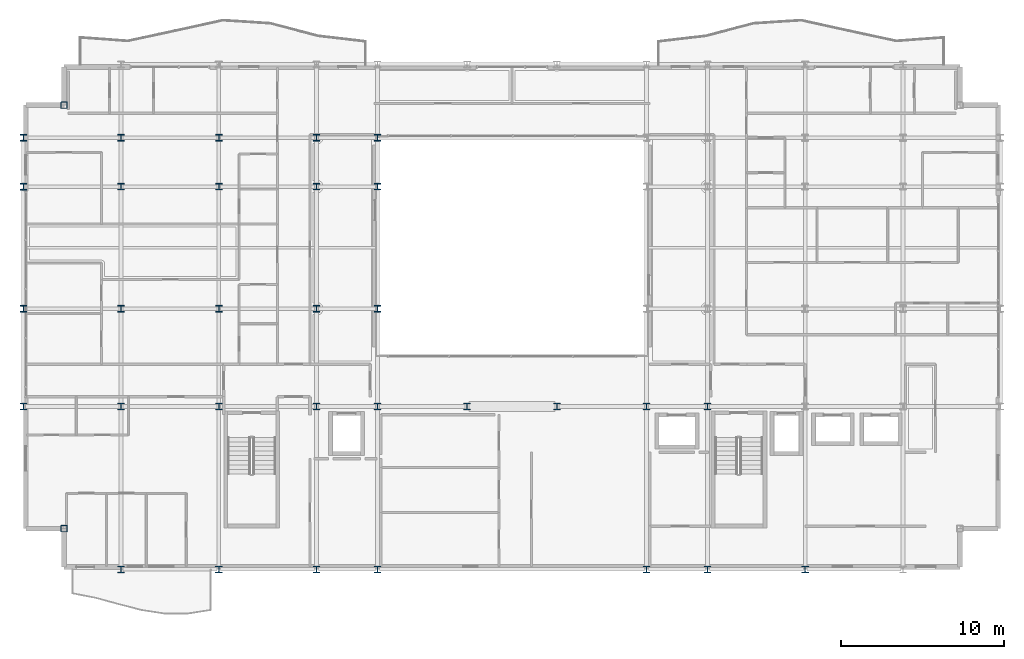
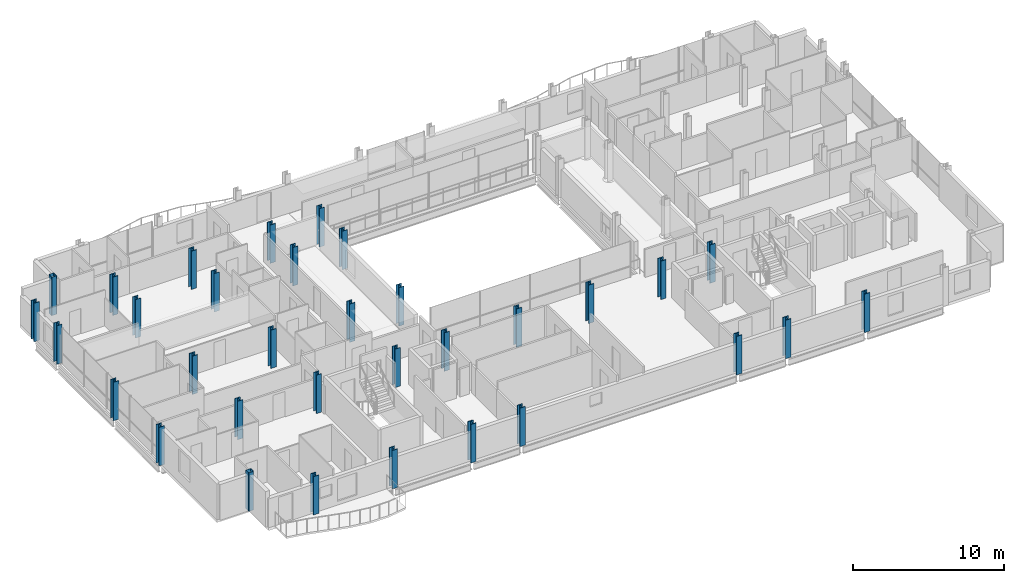
# One storey, part 1 of 41: 33 columns.
"""IFC4 building model written with IfcOpenShell, lengths in metres."""

import ifcopenshell
import ifcopenshell.guid

model = None  # the IFC model being written
_history = None  # IfcOwnerHistory: only IFC2X3 demands one
_inside = {}  # id of a spatial element -> (the spatial element, [elements in it])
_under = {}  # id of a project, library or spatial element -> (it, [spatial elements below it])
_declared = {}  # id of a project -> (the project, [libraries it declares])
_typed = {}  # id of a type object -> (the type object, [elements of that type])
_made_of = {}  # id of a material, layer set ... -> (it, [elements and type objects made of it])


def new_model(schema):
    """Start an empty IFC model of exactly this schema.

    Asked for "IFC4X3", IfcOpenShell would pick the latest addendum, in which some entities
    have other attributes; the version numbers below select the first issue.
    IFC2X3 requires an IfcOwnerHistory on every rooted entity: one is made here for all.
    """
    global model, _history
    if schema == "IFC4X3":
        model = ifcopenshell.file(schema_version=(4, 3, 0, 0))
    else:
        model = ifcopenshell.file(schema=schema)
    _inside.clear()
    _under.clear()
    _declared.clear()
    _typed.clear()
    _made_of.clear()
    _history = None
    if model.schema == "IFC2X3":
        org = make("IfcOrganization", Name="unknown")
        user = make(
            "IfcPersonAndOrganization",
            ThePerson=make("IfcPerson", FamilyName="unknown"),
            TheOrganization=org,
        )
        app = make(
            "IfcApplication",
            ApplicationDeveloper=org,
            Version="unknown",
            ApplicationFullName="unknown",
            ApplicationIdentifier="unknown",
        )
        _history = make(
            "IfcOwnerHistory",
            OwningUser=user,
            OwningApplication=app,
            ChangeAction="ADDED",
            CreationDate=0,
        )
    return model


def make(cls, **values):
    """One entity of the class cls with the attributes given. An attribute that is None is left unset."""
    return model.create_entity(
        cls, **{name: value for name, value in values.items() if value is not None}
    )


def rooted(cls, **values):
    """An entity with a GlobalId (a new one), such as an element, a storey or a relation."""
    return make(cls, GlobalId=ifcopenshell.guid.new(), OwnerHistory=_history, **values)


def si_unit(unit_type, name, prefix=None):
    """IfcSIUnit, for example si_unit("LENGTHUNIT", "METRE", prefix="MILLI")."""
    return make("IfcSIUnit", UnitType=unit_type, Prefix=prefix, Name=name)


def assignment(units):
    """IfcUnitAssignment: the units of a project."""
    return None if units is None else make("IfcUnitAssignment", Units=units)


def point(xyz):
    """IfcCartesianPoint."""
    return None if xyz is None else make("IfcCartesianPoint", Coordinates=xyz)


def direction(xyz):
    """IfcDirection."""
    return None if xyz is None else make("IfcDirection", DirectionRatios=xyz)


def frame(location, z_axis=None, x_axis=None):
    """IfcAxis2Placement3D, a coordinate frame: its origin and axes. An axis left out is left unset."""
    return make(
        "IfcAxis2Placement3D",
        Location=point(location),
        Axis=direction(z_axis),
        RefDirection=direction(x_axis),
    )


def frame_2d(location, x_axis=None):
    """IfcAxis2Placement2D, a coordinate frame in the plane: its origin and x axis."""
    return make(
        "IfcAxis2Placement2D", Location=point(location), RefDirection=direction(x_axis)
    )


def origin():
    """The frame at (0, 0, 0) with its axes left unset."""
    return frame((0.0, 0.0, 0.0))


def origin_2d():
    """The frame at (0, 0) in the plane with its x axis left unset."""
    return frame_2d((0.0, 0.0))


def place(relative_to, where):
    """IfcLocalPlacement: puts the frame where relative to a parent placement (None: the world)."""
    return make(
        "IfcLocalPlacement", PlacementRelTo=relative_to, RelativePlacement=where
    )


def context(
    kind, dimensions, precision=None, world=None, true_north=None, identifier=None
):
    """IfcGeometricRepresentationContext, for example the 3D "Model" context."""
    return make(
        "IfcGeometricRepresentationContext",
        ContextIdentifier=identifier,
        ContextType=kind,
        CoordinateSpaceDimension=dimensions,
        Precision=precision,
        WorldCoordinateSystem=world,
        TrueNorth=true_north,
    )


def subcontext(parent, identifier, kind, view, scale=None):
    """IfcGeometricRepresentationSubContext, for example "Body" below "Model"."""
    return make(
        "IfcGeometricRepresentationSubContext",
        ContextIdentifier=identifier,
        ContextType=kind,
        ParentContext=parent,
        TargetScale=scale,
        TargetView=view,
    )


def project(units=None, contexts=None):
    """IfcProject with its units and contexts."""
    return rooted(
        "IfcProject",
        Name="project",
        RepresentationContexts=contexts,
        UnitsInContext=assignment(units),
    )


def spatial(cls, under=None, at=None, **own):
    """A site, building, storey or space (cls), placed at a placement, below another one or the project."""
    s = rooted(cls, ObjectPlacement=at, **own)
    if under is not None:
        _under.setdefault(under.id(), (under, []))[1].append(s)
    return s


def profile(cls, at=None, kind="AREA", **sizes):
    """A parametric profile (cls). Its sizes go by their IFC names, for example OverallWidth=200.0."""
    return make(cls, ProfileType=kind, Position=at, **sizes)


def hollow_rectangle(**sizes):
    """IfcRectangleHollowProfileDef."""
    return profile("IfcRectangleHollowProfileDef", **sizes)


def i_section(**sizes):
    """IfcIShapeProfileDef."""
    return profile("IfcIShapeProfileDef", **sizes)


def extrude(swept, where, along, depth):
    """IfcExtrudedAreaSolid: the profile swept, set in the frame where, extruded along a direction by depth."""
    return make(
        "IfcExtrudedAreaSolid",
        SweptArea=swept,
        Position=where,
        ExtrudedDirection=direction(along),
        Depth=depth,
    )


def shape(context_of_items, identifier, shape_type, items):
    """IfcShapeRepresentation: the items that make up one representation, for example the "Body"."""
    return make(
        "IfcShapeRepresentation",
        ContextOfItems=context_of_items,
        RepresentationIdentifier=identifier,
        RepresentationType=shape_type,
        Items=items,
    )


def material(Name=None, Category=None):
    """IfcMaterial."""
    return make("IfcMaterial", Name=Name, Category=Category)


def material_profile(
    of_material, cross_section, Name=None, Category=None, Priority=None
):
    """IfcMaterialProfile: a cross section and its material."""
    return make(
        "IfcMaterialProfile",
        Name=Name,
        Material=of_material,
        Profile=cross_section,
        Priority=Priority,
        Category=Category,
    )


def profile_set(profiles, Name=None, composite=None):
    """IfcMaterialProfileSet."""
    return make(
        "IfcMaterialProfileSet",
        Name=Name,
        MaterialProfiles=profiles,
        CompositeProfile=composite,
    )


def made_of(thing, what):
    """Note that an element or type object is made of a material, layer set ...; save() writes the relation."""
    if what is not None:
        _made_of.setdefault(what.id(), (what, []))[1].append(thing)
    return thing


def type_object(cls, material=None, **own):
    """A type object (cls), such as IfcWallType, which elements share."""
    return made_of(rooted(cls, **own), material)


def element(
    cls,
    number,
    at=None,
    inside=None,
    cuts=None,
    type_object=None,
    material=None,
    context=None,
    identifier="Body",
    shape_type=None,
    held_by="IfcProductDefinitionShape",
    body=None,
    shapes=None,
    **own,
):
    """One element of the class cls, such as IfcWall. Its Tag is "e" and its number.

    at: its placement. inside: the storey or other place that contains it. cuts: it is an
    opening in that element (IfcRelVoidsElement). A single representation is given by context,
    identifier, shape_type and body (its items); several are given by shapes. held_by: the class
    of the entity that holds the representations. save() writes the other relations.
    """
    e = rooted(cls, Tag="e%d" % number, ObjectPlacement=at, **own)
    if body is not None:
        shapes = [shape(context, identifier, shape_type, body)]
    if shapes is not None:
        e.Representation = make(held_by, Representations=shapes)
    if inside is not None:
        _inside.setdefault(inside.id(), (inside, []))[1].append(e)
    if cuts is not None:
        rooted(
            "IfcRelVoidsElement", RelatingBuildingElement=cuts, RelatedOpeningElement=e
        )
    if type_object is not None:
        _typed.setdefault(type_object.id(), (type_object, []))[1].append(e)
    return made_of(e, material)


def aggregate(whole, parts):
    """IfcRelAggregates: a whole, such as a stair, and the parts it consists of."""
    return rooted("IfcRelAggregates", RelatingObject=whole, RelatedObjects=parts)


def save(model, path):
    """Write the relations noted so far, then the file.

    IfcRelAggregates (storeys below a building ...), IfcRelContainedInSpatialStructure (elements
    in a storey), IfcRelDefinesByType, IfcRelAssociatesMaterial and IfcRelDeclares: one each for
    every whole, place, type object, material and project.
    """
    for whole, parts in _under.values():
        aggregate(whole, parts)
    for where, things in _inside.values():
        rooted(
            "IfcRelContainedInSpatialStructure",
            RelatedElements=things,
            RelatingStructure=where,
        )
    for kind, things in _typed.values():
        rooted("IfcRelDefinesByType", RelatedObjects=things, RelatingType=kind)
    for what, things in _made_of.values():
        rooted("IfcRelAssociatesMaterial", RelatedObjects=things, RelatingMaterial=what)
    for by, libraries in _declared.values():
        rooted("IfcRelDeclares", RelatingContext=by, RelatedDefinitions=libraries)
    model.write(path)


model = new_model("IFC4")

# Units and contexts
model_context = context("Model", 3, precision=1e-05, world=origin(), true_north=direction((0.0, 1.0)))
body_context = subcontext(model_context, "Body", "Model", "MODEL_VIEW")
ifc_project = project(units=[si_unit("LENGTHUNIT", "METRE"), si_unit("AREAUNIT", "SQUARE_METRE"), si_unit("VOLUMEUNIT", "CUBIC_METRE"), si_unit("PLANEANGLEUNIT", "RADIAN"), si_unit("MASSUNIT", "GRAM", prefix="KILO")], contexts=[model_context])

# Site, building, storey
site_placement = place(None, origin())
site = spatial("IfcSite", under=ifc_project, at=site_placement, CompositionType="ELEMENT")
building_placement = place(site_placement, origin())
building = spatial("IfcBuilding", under=site, at=building_placement, Name="Brevholm Reach", CompositionType="ELEMENT")
storey_placement = place(building_placement, frame((0.0, 0.0, 163.5)))
storey = spatial("IfcBuildingStorey", under=building, at=storey_placement, Name="L49", CompositionType="ELEMENT", Elevation=163.5)

# Columns
ifc_material_1 = material(Name="Structural Steel S460NH", Category="steel")
ifc_material_profile_1 = material_profile(ifc_material_1, hollow_rectangle(XDim=0.39990234375, YDim=0.39990234375, WallThickness=0.02001953125, InnerFilletRadius=0.011962890625, OuterFilletRadius=0.02392578125, at=origin_2d()), Name="SHS 400x400x20")
ifc_profile_set_1 = profile_set([ifc_material_profile_1], Name="Structural Steel S460NH")
column_type_1 = type_object("IfcColumnType", Name="COL-SHS2", PredefinedType="COLUMN", material=ifc_profile_set_1)
for number, where, z_axis, x_axis, name in (
    (1, (2.5, 2.5, 0.0), (0.0, 0.0, 1.0), (1.0, 0.0, 0.0), "L49 Column 05"),
    (2, (2.5, 28.5, 0.0), (0.0, 0.0, 1.0), (1.0, 0.0, 0.0), "L49 Column 06"),
):
    element("IfcColumn", number, at=place(storey_placement, frame(where, z_axis=z_axis, x_axis=x_axis)), inside=storey, type_object=column_type_1, Name=name, PredefinedType="COLUMN", context=body_context, shape_type="SweptSolid", body=[
        extrude(hollow_rectangle(XDim=0.39990234375, YDim=0.39990234375, WallThickness=0.02001953125, InnerFilletRadius=0.011962890625, OuterFilletRadius=0.02392578125, at=origin_2d()), origin(), (0.0, 0.0, 1.0), 3.10009765625),
    ])
ifc_material_2 = material(Name="Structural Steel S355J2", Category="steel")
ifc_material_profile_2 = material_profile(ifc_material_2, i_section(OverallWidth=0.406982421875, OverallDepth=0.4189453125, WebThickness=0.030517578125, FlangeThickness=0.04931640625, FilletRadius=0.01513671875, at=origin_2d()), Name="UKC 356x406x393")
ifc_profile_set_2 = profile_set([ifc_material_profile_2], Name="Structural Steel S355J2")
column_type_2 = type_object("IfcColumnType", Name="COL-UC4", PredefinedType="COLUMN", material=ifc_profile_set_2)
for number, where, z_axis, x_axis, name in (
    (3, (0.0, 10.0, 0.0), (0.0, 0.0, 1.0), (1.0, 0.0, 0.0), "L49 Column 01"),
    (4, (0.0, 16.0, 0.0), (0.0, 0.0, 1.0), (1.0, 0.0, 0.0), "L49 Column 02"),
    (5, (0.0, 23.5, 0.0), (0.0, 0.0, 1.0), (1.0, 0.0, 0.0), "L49 Column 03"),
    (6, (0.0, 26.5, 0.0), (0.0, 0.0, 1.0), (1.0, 0.0, 0.0), "L49 Column 04"),
    (7, (6.0, 0.0, 0.0), (0.0, 0.0, 1.0), (1.0, 0.0, 0.0), "L49 Column 07"),
    (8, (12.0, 0.0, 0.0), (0.0, 0.0, 1.0), (1.0, 0.0, 0.0), "L49 Column 13"),
    (9, (18.0, 0.0, 0.0), (0.0, 0.0, 1.0), (1.0, 0.0, 0.0), "L49 Column 19"),
    (10, (21.75, 0.0, 0.0), (0.0, 0.0, 1.0), (1.0, 0.0, 0.0), "L49 Column 25"),
    (11, (38.25, 0.0, 0.0), (0.0, 0.0, 1.0), (1.0, 0.0, 0.0), "L49 Column 35"),
    (12, (42.0, 0.0, 0.0), (0.0, 0.0, 1.0), (1.0, 0.0, 0.0), "L49 Column 41"),
    (13, (48.0, 0.0, 0.0), (0.0, 0.0, 1.0), (1.0, 0.0, 0.0), "L49 Column 47"),
):
    element("IfcColumn", number, at=place(storey_placement, frame(where, z_axis=z_axis, x_axis=x_axis)), inside=storey, type_object=column_type_2, Name=name, PredefinedType="COLUMN", context=body_context, shape_type="SweptSolid", body=[
        extrude(i_section(OverallWidth=0.406982421875, OverallDepth=0.4189453125, WebThickness=0.030517578125, FlangeThickness=0.04931640625, FilletRadius=0.01513671875, at=origin_2d()), origin(), (0.0, 0.0, 1.0), 3.10009765625),
    ])
ifc_material_3 = material(Name="Structural Steel S355J2", Category="steel")
ifc_material_profile_3 = material_profile(ifc_material_3, i_section(OverallWidth=0.403076171875, OverallDepth=0.406494140625, WebThickness=0.026611328125, FlangeThickness=0.04296875, FilletRadius=0.01513671875, at=origin_2d()), Name="UKC 356x406x340")
ifc_profile_set_3 = profile_set([ifc_material_profile_3], Name="Structural Steel S355J2")
column_type_3 = type_object("IfcColumnType", Name="COL-UC5", PredefinedType="COLUMN", material=ifc_profile_set_3)
for number, where, z_axis, x_axis, name in (
    (14, (6.0, 10.0, 0.0), (0.0, 0.0, 1.0), (1.0, 0.0, 0.0), "L49 Column 08"),
    (15, (6.0, 16.0, 0.0), (0.0, 0.0, 1.0), (1.0, 0.0, 0.0), "L49 Column 09"),
    (16, (6.0, 23.5, 0.0), (0.0, 0.0, 1.0), (1.0, 0.0, 0.0), "L49 Column 10"),
    (17, (6.0, 26.5, 0.0), (0.0, 0.0, 1.0), (1.0, 0.0, 0.0), "L49 Column 11"),
    (18, (12.0, 10.0, 0.0), (0.0, 0.0, 1.0), (1.0, 0.0, 0.0), "L49 Column 14"),
    (19, (12.0, 16.0, 0.0), (0.0, 0.0, 1.0), (1.0, 0.0, 0.0), "L49 Column 15"),
    (20, (12.0, 23.5, 0.0), (0.0, 0.0, 1.0), (1.0, 0.0, 0.0), "L49 Column 16"),
    (21, (12.0, 26.5, 0.0), (0.0, 0.0, 1.0), (1.0, 0.0, 0.0), "L49 Column 17"),
    (22, (18.0, 10.0, 0.0), (0.0, 0.0, 1.0), (1.0, 0.0, 0.0), "L49 Column 20"),
    (23, (18.0, 16.0, 0.0), (0.0, 0.0, 1.0), (1.0, 0.0, 0.0), "L49 Column 21"),
    (24, (18.0, 23.5, 0.0), (0.0, 0.0, 1.0), (1.0, 0.0, 0.0), "L49 Column 22"),
    (25, (18.0, 26.5, 0.0), (0.0, 0.0, 1.0), (1.0, 0.0, 0.0), "L49 Column 23"),
    (26, (21.75, 10.0, 0.0), (0.0, 0.0, 1.0), (1.0, 0.0, 0.0), "L49 Column 26"),
    (27, (21.75, 16.0, 0.0), (0.0, 0.0, 1.0), (1.0, 0.0, 0.0), "L49 Column 27"),
    (28, (21.75, 23.5, 0.0), (0.0, 0.0, 1.0), (1.0, 0.0, 0.0), "L49 Column 28"),
    (29, (21.75, 26.5, 0.0), (0.0, 0.0, 1.0), (1.0, 0.0, 0.0), "L49 Column 29"),
    (30, (27.25, 10.0, 0.0), (0.0, 0.0, 1.0), (1.0, 0.0, 0.0), "L49 Column 31"),
    (31, (32.75, 10.0, 0.0), (0.0, 0.0, 1.0), (1.0, 0.0, 0.0), "L49 Column 33"),
    (32, (38.25, 10.0, 0.0), (0.0, 0.0, 1.0), (1.0, 0.0, 0.0), "L49 Column 36"),
    (33, (42.0, 10.0, 0.0), (0.0, 0.0, 1.0), (1.0, 0.0, 0.0), "L49 Column 42"),
):
    element("IfcColumn", number, at=place(storey_placement, frame(where, z_axis=z_axis, x_axis=x_axis)), inside=storey, type_object=column_type_3, Name=name, PredefinedType="COLUMN", context=body_context, shape_type="SweptSolid", body=[
        extrude(i_section(OverallWidth=0.403076171875, OverallDepth=0.406494140625, WebThickness=0.026611328125, FlangeThickness=0.04296875, FilletRadius=0.01513671875, at=origin_2d()), origin(), (0.0, 0.0, 1.0), 3.10009765625),
    ])

save(model, "model.ifc")
